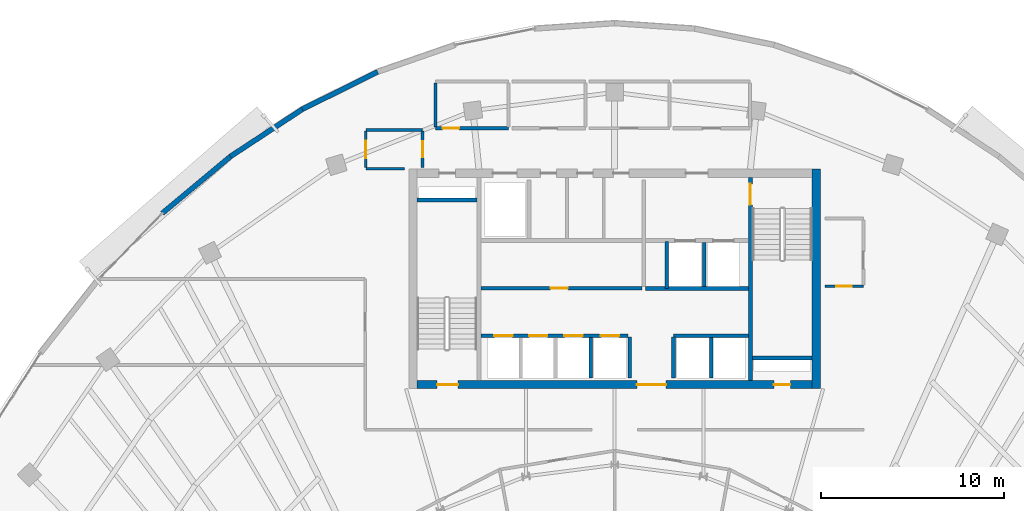
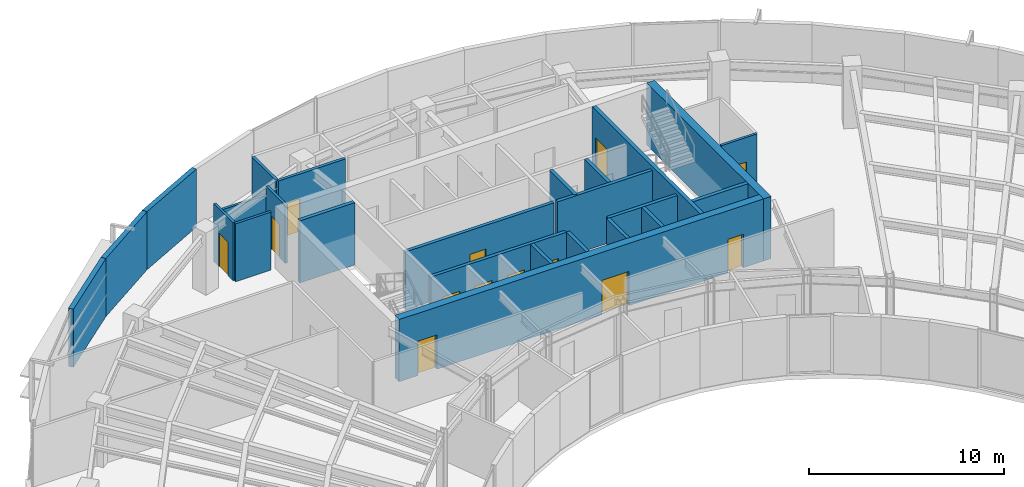
# One storey, part 9 of 14: 25 walls, 13 doors, 13 openings.
"""IFC4 building model written with IfcOpenShell, lengths in metres."""

from ifc_helpers import new_model, si_unit, direction, frame, frame_2d, origin, place, context, subcontext, project, spatial, rectangle, extrude, source, transform, mapped, material, layer, layer_set, type_object, type_shapes, element, fill, save


model = new_model("IFC4")

# Units and contexts
model_context = context("Model", 3, precision=1e-05, world=origin(), true_north=direction((0.0, 1.0)))
body_context = subcontext(model_context, "Body", "Model", "MODEL_VIEW")
ifc_project = project(units=[si_unit("LENGTHUNIT", "METRE"), si_unit("AREAUNIT", "SQUARE_METRE"), si_unit("VOLUMEUNIT", "CUBIC_METRE"), si_unit("PLANEANGLEUNIT", "RADIAN"), si_unit("MASSUNIT", "GRAM", prefix="KILO")], contexts=[model_context])

# Site, building, storey
site_placement = place(None, origin())
site = spatial("IfcSite", under=ifc_project, at=site_placement, CompositionType="ELEMENT")
building_placement = place(site_placement, origin())
building = spatial("IfcBuilding", under=site, at=building_placement, Name="Breltana Convention Tower", CompositionType="ELEMENT")
storey_placement = place(building_placement, frame((0.0, 0.0, 207.89990234375)))
storey = spatial("IfcBuildingStorey", under=building, at=storey_placement, Name="L50", CompositionType="ELEMENT", Elevation=207.89990234375)

# Walls
ifc_material_1 = material(Name="Concrete C50/60", Category="concrete")
ifc_layer_1 = layer(ifc_material_1, 0.39990234375, Name="Concrete C50/60")
ifc_layer_set_1 = layer_set([ifc_layer_1], Name="Concrete C50/60")
wall_type_1 = type_object("IfcWallType", Name="SW-CORE-400", PredefinedType="SHEAR", material=ifc_layer_set_1)
shared_shape_1 = source(origin(), body_context, "Body", "SweptSolid", [
    extrude(rectangle(XDim=3.27001953125, YDim=0.219970703125, at=frame_2d((1.635009765625, 0.0))), origin(), (0.0, 0.0, 1.0), 3.900146484375),
])
for number, where, z_axis, x_axis, name in (
    (1, (37.199951171875, 70.510009765625, 0.0), (0.0, 0.0, 1.0), (1.0, 0.0, 0.0), "L50 ST-1 Stairwell North Bearing Wall"),
    (2, (55.530029296875, 61.889892578125, 0.0), (0.0, 0.0, 1.0), (1.0, 0.0, 0.0), "L50 ST-2 Stairwell South Bearing Wall"),
):
    element("IfcWall", number, at=place(storey_placement, frame(where, z_axis=z_axis, x_axis=x_axis)), inside=storey, type_object=wall_type_1, Name=name, PredefinedType="SHEAR", context=body_context, shape_type="MappedRepresentation", body=[
        mapped(shared_shape_1, transform((0.0, 0.0, 0.0), scale=1.0)),
    ])
ifc_material_2 = material(Name="Concrete C60/75", Category="concrete")
ifc_layer_2 = layer(ifc_material_2, 0.449951171875, Name="Concrete C60/75")
ifc_layer_set_2 = layer_set([ifc_layer_2], Name="Concrete C60/75")
wall_type_2 = type_object("IfcWallType", Name="SW-CORE-450", PredefinedType="SHEAR", material=ifc_layer_set_2)
shared_shape_2 = source(origin(), body_context, "Body", "SweptSolid", [
    extrude(rectangle(XDim=12.0, YDim=0.449951171875, at=frame_2d((6.0, 0.0))), origin(), (0.0, 0.0, 1.0), 3.900146484375),
])
wall_1_placement = place(storey_placement, frame((59.02490234375, 60.199951171875, 0.0), z_axis=(0.0, 0.0, 1.0), x_axis=(0.0, 1.0, 0.0)))
element("IfcWall", 3, at=wall_1_placement, inside=storey, type_object=wall_type_2, Name="L50 East Core Shear Wall", PredefinedType="SHEAR", context=body_context, shape_type="MappedRepresentation", body=[
    mapped(shared_shape_2, transform((0.0, 0.0, 0.0), scale=1.0)),
])

# Wall, openings, doors
shared_shape_3 = source(origin(), body_context, "Body", "SweptSolid", [
    extrude(rectangle(XDim=21.60009765625, YDim=0.449951171875, at=frame_2d((10.800048828125, 0.0))), origin(), (0.0, 0.0, 1.0), 3.900146484375),
])
wall_2_placement = place(storey_placement, frame((37.199951171875, 60.425048828125, 0.0), z_axis=(0.0, 0.0, 1.0), x_axis=(1.0, 0.0, 0.0)))
wall_2 = element("IfcWall", 4, at=wall_2_placement, inside=storey, type_object=wall_type_2, Name="L50 South Core Shear Wall", PredefinedType="SHEAR", context=body_context, shape_type="MappedRepresentation", body=[
    mapped(shared_shape_3, transform((0.0, 0.0, 0.0), scale=1.0)),
])
opening_1_placement = place(wall_2_placement, frame((1.10009765625, 0.0, 0.0)))
opening_1 = element("IfcOpeningElement", 5, at=opening_1_placement, cuts=wall_2, Name="Opening D-11", PredefinedType="OPENING", context=body_context, shape_type="SweptSolid", body=[
    extrude(rectangle(XDim=1.14990234375, YDim=2.14990234375, at=frame_2d((0.574951171875, 1.074951171875))), frame((0.0, 0.23486328125, 0.0), z_axis=(0.0, -1.0, 0.0), x_axis=(1.0, 0.0, 0.0)), (0.0, 0.0, 1.0), 0.469970703125),
])
opening_2_placement = place(wall_2_placement, frame((19.5, 0.0, 0.0)))
opening_2 = element("IfcOpeningElement", 6, at=opening_2_placement, cuts=wall_2, Name="Opening D-18", PredefinedType="OPENING", context=body_context, shape_type="SweptSolid", body=[
    extrude(rectangle(XDim=0.89990234375, YDim=2.10009765625, at=frame_2d((0.449951171875, 1.050048828125))), frame((0.0, 0.23486328125, 0.0), z_axis=(0.0, -1.0, 0.0), x_axis=(1.0, 0.0, 0.0)), (0.0, 0.0, 1.0), 0.469970703125),
])
opening_3_placement = place(wall_2_placement, frame((12.02001953125, 0.0, 0.0)))
opening_3 = element("IfcOpeningElement", 7, at=opening_3_placement, cuts=wall_2, Name="Opening D-02", PredefinedType="OPENING", context=body_context, shape_type="SweptSolid", body=[
    extrude(rectangle(XDim=1.60009765625, YDim=2.14990234375, at=frame_2d((0.800048828125, 1.074951171875))), frame((0.0, 0.23486328125, 0.0), z_axis=(0.0, -1.0, 0.0), x_axis=(1.0, 0.0, 0.0)), (0.0, 0.0, 1.0), 0.469970703125),
])
ifc_material_3 = material(Name="Steel Stair Exit Door", Category="steel")
door_type_1 = type_object("IfcDoorType", Name="DR-FD120-1150", OperationType="NOTDEFINED", PredefinedType="DOOR", material=ifc_material_3)
shared_shape_4 = source(origin(), body_context, "Body", "SweptSolid", [
    extrude(rectangle(XDim=1.14990234375, YDim=2.14990234375, at=frame_2d((0.574951171875, 1.074951171875))), frame((0.0, 0.02490234375, 0.0), z_axis=(0.0, -1.0, 0.0), x_axis=(1.0, 0.0, 0.0)), (0.0, 0.0, 1.0), 0.050048828125),
])
type_shapes(door_type_1, [shared_shape_4])
door_1_placement = place(opening_1_placement, origin())
door_1 = element("IfcDoor", 8, at=door_1_placement, inside=storey, type_object=door_type_1, Name="L50 interior door D-L50-ST1", OperationType="SINGLE_SWING_LEFT", OverallHeight=2.14990234375, OverallWidth=1.14990234375, PredefinedType="DOOR", context=body_context, shape_type="MappedRepresentation", body=[
    mapped(shared_shape_4, transform((0.0, 0.0, 0.0), scale=1.0)),
])
fill(opening_1, door_1)
ifc_material_4 = material(Name="Steel Riser Fire Door", Category="steel")
door_type_2 = type_object("IfcDoorType", Name="DR-FD60-900", OperationType="NOTDEFINED", PredefinedType="DOOR", material=ifc_material_4)
shared_shape_5 = source(origin(), body_context, "Body", "SweptSolid", [
    extrude(rectangle(XDim=0.89990234375, YDim=2.10009765625, at=frame_2d((0.449951171875, 1.050048828125))), frame((0.0, 0.02490234375, 0.0), z_axis=(0.0, -1.0, 0.0), x_axis=(1.0, 0.0, 0.0)), (0.0, 0.0, 1.0), 0.050048828125),
])
type_shapes(door_type_2, [shared_shape_5])
door_2_placement = place(opening_2_placement, origin())
door_2 = element("IfcDoor", 9, at=door_2_placement, inside=storey, type_object=door_type_2, Name="L50 Core Riser Access Door D-L50-RS2", OperationType="SINGLE_SWING_RIGHT", OverallHeight=2.10009765625, OverallWidth=0.89990234375, PredefinedType="DOOR", context=body_context, shape_type="MappedRepresentation", body=[
    mapped(shared_shape_5, transform((0.0, 0.0, 0.0), scale=1.0)),
])
fill(opening_2, door_2)
ifc_material_5 = material(Name="Steel Glazed Smoke-Control Door", Category="steel")
door_type_3 = type_object("IfcDoorType", Name="DR-DBL-FD90-1600", OperationType="DOUBLE_DOOR_SINGLE_SWING", PredefinedType="DOOR", material=ifc_material_5)
shared_shape_6 = source(origin(), body_context, "Body", "SweptSolid", [
    extrude(rectangle(XDim=1.60009765625, YDim=2.14990234375, at=frame_2d((0.800048828125, 1.074951171875))), frame((0.0, 0.02490234375, 0.0), z_axis=(0.0, -1.0, 0.0), x_axis=(1.0, 0.0, 0.0)), (0.0, 0.0, 1.0), 0.050048828125),
])
type_shapes(door_type_3, [shared_shape_6])
door_3_placement = place(opening_3_placement, origin())
door_3 = element("IfcDoor", 10, at=door_3_placement, inside=storey, type_object=door_type_3, Name="L50 interior door D-L50-LLB-S", OperationType="DOUBLE_DOOR_SINGLE_SWING", OverallHeight=2.14990234375, OverallWidth=1.60009765625, PredefinedType="DOOR", context=body_context, shape_type="MappedRepresentation", body=[
    mapped(shared_shape_6, transform((0.0, 0.0, 0.0), scale=1.0)),
])
fill(opening_3, door_3)

# Wall, opening, door
shared_shape_7 = source(origin(), body_context, "Body", "SweptSolid", [
    extrude(rectangle(XDim=11.10009765625, YDim=0.219970703125, at=frame_2d((5.550048828125, 0.0))), origin(), (0.0, 0.0, 1.0), 3.900146484375),
])
wall_3_placement = place(storey_placement, frame((55.419921875, 60.64990234375, 0.0), z_axis=(0.0, 0.0, 1.0), x_axis=(0.0, 1.0, 0.0)))
wall_3 = element("IfcWall", 11, at=wall_3_placement, inside=storey, type_object=wall_type_1, Name="L50 Core East Stair Spine Wall", PredefinedType="SHEAR", context=body_context, shape_type="MappedRepresentation", body=[
    mapped(shared_shape_7, transform((0.0, 0.0, 0.0), scale=1.0)),
])
opening_4_placement = place(wall_3_placement, frame((9.594970703125, 0.0, 0.0)))
opening_4 = element("IfcOpeningElement", 12, at=opening_4_placement, cuts=wall_3, Name="Opening D-11", PredefinedType="OPENING", context=body_context, shape_type="SweptSolid", body=[
    extrude(rectangle(XDim=1.14990234375, YDim=2.14990234375, at=frame_2d((0.574951171875, 1.074951171875))), frame((0.0, 0.1201171875, 0.0), z_axis=(0.0, -1.0, 0.0), x_axis=(1.0, 0.0, 0.0)), (0.0, 0.0, 1.0), 0.239990234375),
])
door_4_placement = place(opening_4_placement, origin())
door_4 = element("IfcDoor", 13, at=door_4_placement, inside=storey, type_object=door_type_1, Name="L50 interior door D-L50-ST2", OperationType="SINGLE_SWING_LEFT", OverallHeight=2.14990234375, OverallWidth=1.14990234375, PredefinedType="DOOR", context=body_context, shape_type="MappedRepresentation", body=[
    mapped(shared_shape_4, transform((0.0, 0.0, 0.0), scale=1.0)),
])
fill(opening_4, door_4)

# Walls
ifc_material_6 = material(Name="Limestone Buff Insulated Wall", Category="masonry")
ifc_layer_3 = layer(ifc_material_6, 0.280029296875, Name="Limestone Buff Insulated Wall")
ifc_layer_set_3 = layer_set([ifc_layer_3], Name="Limestone Buff Insulated Wall")
wall_type_3 = type_object("IfcWallType", Name="WL-EXT-NOSE-280", PredefinedType="SOLIDWALL", material=ifc_layer_set_3)
shared_shape_8 = source(origin(), body_context, "Body", "SweptSolid", [
    extrude(rectangle(XDim=4.851806640625, YDim=0.280029296875, at=frame_2d((2.42578125, 0.0))), origin(), (0.0, 0.0, 1.0), 3.64013671875),
])
wall_4_placement = place(storey_placement, frame((23.26806640625, 69.787841796875, 0.0), z_axis=(0.0, 0.0, 1.0), x_axis=(0.767936605821, 0.640525853843, 0.0)))
element("IfcWall", 14, at=wall_4_placement, inside=storey, type_object=wall_type_3, Name="L50 curved limestone nose wall E21", PredefinedType="SOLIDWALL", context=body_context, shape_type="MappedRepresentation", body=[
    mapped(shared_shape_8, transform((0.0, 0.0, 0.0), scale=1.0)),
])
shared_shape_9 = source(origin(), body_context, "Body", "SweptSolid", [
    extrude(rectangle(XDim=4.712646484375, YDim=0.280029296875, at=frame_2d((2.3564453125, 0.0))), origin(), (0.0, 0.0, 1.0), 3.64013671875),
])
wall_5_placement = place(storey_placement, frame((26.993896484375, 72.8955078125, 0.0), z_axis=(0.0, 0.0, 1.0), x_axis=(0.835974386457, 0.548768462275, 0.0)))
element("IfcWall", 15, at=wall_5_placement, inside=storey, type_object=wall_type_3, Name="L50 curved limestone nose wall E22", PredefinedType="SOLIDWALL", context=body_context, shape_type="MappedRepresentation", body=[
    mapped(shared_shape_9, transform((0.0, 0.0, 0.0), scale=1.0)),
])
shared_shape_10 = source(origin(), body_context, "Body", "SweptSolid", [
    extrude(rectangle(XDim=4.59033203125, YDim=0.280029296875, at=frame_2d((2.295166015625, 0.0))), origin(), (0.0, 0.0, 1.0), 3.64013671875),
])
wall_6_placement = place(storey_placement, frame((30.93359375, 75.481689453125, 0.0), z_axis=(0.0, 0.0, 1.0), x_axis=(0.895974834987, 0.444104824418, 0.0)))
element("IfcWall", 16, at=wall_6_placement, inside=storey, type_object=wall_type_3, Name="L50 curved limestone nose wall E23", PredefinedType="SOLIDWALL", context=body_context, shape_type="MappedRepresentation", body=[
    mapped(shared_shape_10, transform((0.0, 0.0, 0.0), scale=1.0)),
])
ifc_material_7 = material(Name="Autoclaved Aerated Concrete Block", Category="concrete")
ifc_layer_4 = layer(ifc_material_7, 0.199951171875, Name="Autoclaved Aerated Concrete Block")
ifc_layer_set_4 = layer_set([ifc_layer_4], Name="Autoclaved Aerated Concrete Block")
wall_type_4 = type_object("IfcWallType", Name="WL-SHAFT-200", PredefinedType="SOLIDWALL", material=ifc_layer_set_4)
shared_shape_11 = source(origin(), body_context, "Body", "SweptSolid", [
    extrude(rectangle(XDim=2.239990234375, YDim=0.199951171875, at=frame_2d((1.1201171875, 0.0))), origin(), (0.0, 0.0, 1.0), 3.64013671875),
])
for number, where, z_axis, x_axis, name in (
    (17, (48.820068359375, 60.780029296875, 0.0), (0.0, 0.0, 1.0), (0.0, 1.0, 0.0), "L50 interior partition W-L50-PORT-W"),
    (18, (51.219970703125, 60.780029296875, 0.0), (0.0, 0.0, 1.0), (0.0, 1.0, 0.0), "L50 interior partition W-L50-PORT-E"),
):
    element("IfcWall", number, at=place(storey_placement, frame(where, z_axis=z_axis, x_axis=x_axis)), inside=storey, type_object=wall_type_4, Name=name, PredefinedType="SOLIDWALL", context=body_context, shape_type="MappedRepresentation", body=[
        mapped(shared_shape_11, transform((0.0, 0.0, 0.0), scale=1.0)),
    ])
shared_shape_12 = source(origin(), body_context, "Body", "SweptSolid", [
    extrude(rectangle(XDim=5.6201171875, YDim=0.199951171875, at=frame_2d((2.81005859375, 0.0))), origin(), (0.0, 0.0, 1.0), 3.64013671875),
])
wall_7_placement = place(storey_placement, frame((49.699951171875, 65.679931640625, 0.0), z_axis=(0.0, 0.0, 1.0), x_axis=(1.0, 0.0, 0.0)))
element("IfcWall", 19, at=wall_7_placement, inside=storey, type_object=wall_type_4, Name="L50 interior partition W-L50-FL-S", PredefinedType="SOLIDWALL", context=body_context, shape_type="MappedRepresentation", body=[
    mapped(shared_shape_12, transform((0.0, 0.0, 0.0), scale=1.0)),
])
shared_shape_13 = source(origin(), body_context, "Body", "SweptSolid", [
    extrude(rectangle(XDim=2.580078125, YDim=0.199951171875, at=frame_2d((1.2900390625, 0.0))), origin(), (0.0, 0.0, 1.0), 3.64013671875),
])
wall_8_placement = place(storey_placement, frame((50.85009765625, 65.679931640625, 0.0), z_axis=(0.0, 0.0, 1.0), x_axis=(0.0, 1.0, 0.0)))
element("IfcWall", 20, at=wall_8_placement, inside=storey, type_object=wall_type_4, Name="L50 interior partition W-L50-FL-W", PredefinedType="SOLIDWALL", context=body_context, shape_type="MappedRepresentation", body=[
    mapped(shared_shape_13, transform((0.0, 0.0, 0.0), scale=1.0)),
])
shared_shape_14 = source(origin(), body_context, "Body", "SweptSolid", [
    extrude(rectangle(XDim=2.39990234375, YDim=0.199951171875, at=frame_2d((1.199951171875, 0.0))), origin(), (0.0, 0.0, 1.0), 3.64013671875),
])
wall_9_placement = place(storey_placement, frame((52.89990234375, 65.800048828125, 0.0), z_axis=(0.0, 0.0, 1.0), x_axis=(0.0, 1.0, 0.0)))
element("IfcWall", 21, at=wall_9_placement, inside=storey, type_object=wall_type_4, Name="L50 interior partition W-L50-FL-DIV", PredefinedType="SOLIDWALL", context=body_context, shape_type="MappedRepresentation", body=[
    mapped(shared_shape_14, transform((0.0, 0.0, 0.0), scale=1.0)),
])

# Wall, opening, door
shared_shape_15 = source(origin(), body_context, "Body", "SweptSolid", [
    extrude(rectangle(XDim=8.800048828125, YDim=0.199951171875, at=frame_2d((4.39990234375, 0.0))), origin(), (0.0, 0.0, 1.0), 3.64013671875),
])
wall_10_placement = place(storey_placement, frame((40.699951171875, 65.699951171875, 0.0), z_axis=(0.0, 0.0, 1.0), x_axis=(1.0, 0.0, 0.0)))
wall_10 = element("IfcWall", 22, at=wall_10_placement, inside=storey, type_object=wall_type_4, Name="L50 interior partition W-L50-SH-M-FRONT", PredefinedType="SOLIDWALL", context=body_context, shape_type="MappedRepresentation", body=[
    mapped(shared_shape_15, transform((0.0, 0.0, 0.0), scale=1.0)),
])
opening_5_placement = place(wall_10_placement, frame((3.800048828125, 0.0, 0.0)))
opening_5 = element("IfcOpeningElement", 23, at=opening_5_placement, cuts=wall_10, Name="Opening D-14", PredefinedType="OPENING", context=body_context, shape_type="SweptSolid", body=[
    extrude(rectangle(XDim=0.949951171875, YDim=2.14990234375, at=frame_2d((0.47509765625, 1.074951171875))), frame((0.0, 0.10986328125, 0.0), z_axis=(0.0, -1.0, 0.0), x_axis=(1.0, 0.0, 0.0)), (0.0, 0.0, 1.0), 0.219970703125),
])
ifc_material_8 = material(Name="Timber Solid-Core Fire Door", Category="wood")
door_type_4 = type_object("IfcDoorType", Name="DR-FD60-950", OperationType="NOTDEFINED", PredefinedType="DOOR", material=ifc_material_8)
shared_shape_16 = source(origin(), body_context, "Body", "SweptSolid", [
    extrude(rectangle(XDim=0.949951171875, YDim=2.14990234375, at=frame_2d((0.47509765625, 1.074951171875))), frame((0.0, 0.02490234375, 0.0), z_axis=(0.0, -1.0, 0.0), x_axis=(1.0, 0.0, 0.0)), (0.0, 0.0, 1.0), 0.050048828125),
])
type_shapes(door_type_4, [shared_shape_16])
door_5_placement = place(opening_5_placement, origin())
door_5 = element("IfcDoor", 24, at=door_5_placement, inside=storey, type_object=door_type_4, Name="L50 interior door D-L50-LV7-B2A", OperationType="SINGLE_SWING_LEFT", OverallHeight=2.14990234375, OverallWidth=0.949951171875, PredefinedType="DOOR", context=body_context, shape_type="MappedRepresentation", body=[
    mapped(shared_shape_16, transform((0.0, 0.0, 0.0), scale=1.0)),
])
fill(opening_5, door_5)

# Wall, openings, doors
shared_shape_17 = source(origin(), body_context, "Body", "SweptSolid", [
    extrude(rectangle(XDim=8.02001953125, YDim=0.199951171875, at=frame_2d((4.010009765625, 0.0))), origin(), (0.0, 0.0, 1.0), 3.64013671875),
])
wall_11_placement = place(storey_placement, frame((40.699951171875, 63.10009765625, 0.0), z_axis=(0.0, 0.0, 1.0), x_axis=(1.0, 0.0, 0.0)))
wall_11 = element("IfcWall", 25, at=wall_11_placement, inside=storey, type_object=wall_type_4, Name="L50 interior partition W-L50-SH-S-FRONT", PredefinedType="SOLIDWALL", context=body_context, shape_type="MappedRepresentation", body=[
    mapped(shared_shape_17, transform((0.0, 0.0, 0.0), scale=1.0)),
])
opening_6_placement = place(wall_11_placement, frame((0.719970703125, 0.0, 0.0)))
opening_6 = element("IfcOpeningElement", 26, at=opening_6_placement, cuts=wall_11, Name="Opening LD-04", PredefinedType="OPENING", context=body_context, shape_type="SweptSolid", body=[
    extrude(rectangle(XDim=1.0, YDim=2.14990234375, at=frame_2d((0.5, 1.074951171875))), frame((0.0, 0.10986328125, 0.0), z_axis=(0.0, -1.0, 0.0), x_axis=(1.0, 0.0, 0.0)), (0.0, 0.0, 1.0), 0.219970703125),
])
opening_7_placement = place(wall_11_placement, frame((2.6201171875, 0.0, 0.0)))
opening_7 = element("IfcOpeningElement", 27, at=opening_7_placement, cuts=wall_11, Name="Opening LD-04", PredefinedType="OPENING", context=body_context, shape_type="SweptSolid", body=[
    extrude(rectangle(XDim=1.0, YDim=2.14990234375, at=frame_2d((0.5, 1.074951171875))), frame((0.0, 0.10986328125, 0.0), z_axis=(0.0, -1.0, 0.0), x_axis=(1.0, 0.0, 0.0)), (0.0, 0.0, 1.0), 0.219970703125),
])
opening_8_placement = place(wall_11_placement, frame((4.550048828125, 0.0, 0.0)))
opening_8 = element("IfcOpeningElement", 28, at=opening_8_placement, cuts=wall_11, Name="Opening LD-04", PredefinedType="OPENING", context=body_context, shape_type="SweptSolid", body=[
    extrude(rectangle(XDim=1.0, YDim=2.14990234375, at=frame_2d((0.5, 1.074951171875))), frame((0.0, 0.10986328125, 0.0), z_axis=(0.0, -1.0, 0.0), x_axis=(1.0, 0.0, 0.0)), (0.0, 0.0, 1.0), 0.219970703125),
])
opening_9_placement = place(wall_11_placement, frame((6.550048828125, 0.0, 0.0)))
opening_9 = element("IfcOpeningElement", 29, at=opening_9_placement, cuts=wall_11, Name="Opening LD-04", PredefinedType="OPENING", context=body_context, shape_type="SweptSolid", body=[
    extrude(rectangle(XDim=1.0, YDim=2.14990234375, at=frame_2d((0.5, 1.074951171875))), frame((0.0, 0.10986328125, 0.0), z_axis=(0.0, -1.0, 0.0), x_axis=(1.0, 0.0, 0.0)), (0.0, 0.0, 1.0), 0.219970703125),
])
ifc_material_9 = material(Name="Stainless Steel Brushed", Category="steel")
door_type_5 = type_object("IfcDoorType", Name="DR-LD-PAX-1000", OperationType="DOUBLE_DOOR_SLIDING", PredefinedType="DOOR", material=ifc_material_9)
shared_shape_18 = source(origin(), body_context, "Body", "SweptSolid", [
    extrude(rectangle(XDim=1.0, YDim=2.14990234375, at=frame_2d((0.5, 1.074951171875))), frame((0.0, 0.02490234375, 0.0), z_axis=(0.0, -1.0, 0.0), x_axis=(1.0, 0.0, 0.0)), (0.0, 0.0, 1.0), 0.050048828125),
])
type_shapes(door_type_5, [shared_shape_18])
door_6_placement = place(opening_6_placement, origin())
door_6 = element("IfcDoor", 30, at=door_6_placement, inside=storey, type_object=door_type_5, Name="L50 Lift Landing Door D-L50-LD-S1", OperationType="DOUBLE_DOOR_SLIDING", OverallHeight=2.14990234375, OverallWidth=1.0, PredefinedType="DOOR", context=body_context, shape_type="MappedRepresentation", body=[
    mapped(shared_shape_18, transform((0.0, 0.0, 0.0), scale=1.0)),
])
fill(opening_6, door_6)
door_7_placement = place(opening_7_placement, origin())
door_7 = element("IfcDoor", 31, at=door_7_placement, inside=storey, type_object=door_type_5, Name="L50 Lift Landing Door D-L50-LD-S2", OperationType="DOUBLE_DOOR_SLIDING", OverallHeight=2.14990234375, OverallWidth=1.0, PredefinedType="DOOR", context=body_context, shape_type="MappedRepresentation", body=[
    mapped(shared_shape_18, transform((0.0, 0.0, 0.0), scale=1.0)),
])
fill(opening_7, door_7)
door_8_placement = place(opening_8_placement, origin())
door_8 = element("IfcDoor", 32, at=door_8_placement, inside=storey, type_object=door_type_5, Name="L50 Lift Landing Door D-L50-LD-S3", OperationType="DOUBLE_DOOR_SLIDING", OverallHeight=2.14990234375, OverallWidth=1.0, PredefinedType="DOOR", context=body_context, shape_type="MappedRepresentation", body=[
    mapped(shared_shape_18, transform((0.0, 0.0, 0.0), scale=1.0)),
])
fill(opening_8, door_8)
door_9_placement = place(opening_9_placement, origin())
door_9 = element("IfcDoor", 33, at=door_9_placement, inside=storey, type_object=door_type_5, Name="L50 Lift Landing Door D-L50-LD-S4", OperationType="DOUBLE_DOOR_SLIDING", OverallHeight=2.14990234375, OverallWidth=1.0, PredefinedType="DOOR", context=body_context, shape_type="MappedRepresentation", body=[
    mapped(shared_shape_18, transform((0.0, 0.0, 0.0), scale=1.0)),
])
fill(opening_9, door_9)

# Walls
shared_shape_19 = source(origin(), body_context, "Body", "SweptSolid", [
    extrude(rectangle(XDim=4.10009765625, YDim=0.199951171875, at=frame_2d((2.050048828125, 0.0))), origin(), (0.0, 0.0, 1.0), 3.64013671875),
])
wall_12_placement = place(storey_placement, frame((51.219970703125, 63.10009765625, 0.0), z_axis=(0.0, 0.0, 1.0), x_axis=(1.0, 0.0, 0.0)))
element("IfcWall", 34, at=wall_12_placement, inside=storey, type_object=wall_type_4, Name="L50 interior partition W-L50-SH-X-FRONT", PredefinedType="SOLIDWALL", context=body_context, shape_type="MappedRepresentation", body=[
    mapped(shared_shape_19, transform((0.0, 0.0, 0.0), scale=1.0)),
])
shared_shape_20 = source(origin(), body_context, "Body", "SweptSolid", [
    extrude(rectangle(XDim=2.199951171875, YDim=0.199951171875, at=frame_2d((1.10009765625, 0.0))), origin(), (0.0, 0.0, 1.0), 3.64013671875),
])
for number, where, z_axis, x_axis, name in (
    (35, (46.699951171875, 60.800048828125, 0.0), (0.0, 0.0, 1.0), (0.0, 1.0, 0.0), "L50 interior partition W-L50-SH-S-DIV3"),
    (36, (53.280029296875, 60.800048828125, 0.0), (0.0, 0.0, 1.0), (0.0, 1.0, 0.0), "L50 interior partition W-L50-SH-X-DIV"),
):
    element("IfcWall", number, at=place(storey_placement, frame(where, z_axis=z_axis, x_axis=x_axis)), inside=storey, type_object=wall_type_4, Name=name, PredefinedType="SOLIDWALL", context=body_context, shape_type="MappedRepresentation", body=[
        mapped(shared_shape_20, transform((0.0, 0.0, 0.0), scale=1.0)),
    ])
ifc_material_10 = material(Name="Gypsum Acoustic Drywall Partition")
ifc_layer_5 = layer(ifc_material_10, 0.14990234375, Name="Gypsum Acoustic Drywall Partition")
ifc_layer_set_5 = layer_set([ifc_layer_5], Name="Gypsum Acoustic Drywall Partition")
wall_type_5 = type_object("IfcWallType", Name="WL-PART-150", PredefinedType="PARTITIONING", material=ifc_layer_set_5)
shared_shape_21 = source(origin(), body_context, "Body", "SweptSolid", [
    extrude(rectangle(XDim=2.10009765625, YDim=0.14990234375, at=frame_2d((1.050048828125, 0.0))), origin(), (0.0, 0.0, 1.0), 3.64013671875),
])
wall_13_placement = place(storey_placement, frame((34.39990234375, 72.219970703125, 0.0), z_axis=(0.0, 0.0, 1.0), x_axis=(1.0, 0.0, 0.0)))
element("IfcWall", 37, at=wall_13_placement, inside=storey, type_object=wall_type_5, Name="L50 interior partition W-L50-CRNE-S", PredefinedType="PARTITIONING", context=body_context, shape_type="MappedRepresentation", body=[
    mapped(shared_shape_21, transform((0.0, 0.0, 0.0), scale=1.0)),
])

# Wall, opening, door
wall_14_placement = place(storey_placement, frame((59.5, 65.800048828125, 0.0), z_axis=(0.0, 0.0, 1.0), x_axis=(1.0, 0.0, 0.0)))
wall_14 = element("IfcWall", 38, at=wall_14_placement, inside=storey, type_object=wall_type_5, Name="L50 interior partition W-L50-CRSE-S", PredefinedType="PARTITIONING", context=body_context, shape_type="MappedRepresentation", body=[
    mapped(shared_shape_21, transform((0.0, 0.0, 0.0), scale=1.0)),
])
opening_10_placement = place(wall_14_placement, frame((0.625, 0.0, 0.0)))
opening_10 = element("IfcOpeningElement", 39, at=opening_10_placement, cuts=wall_14, Name="Opening D-20", PredefinedType="OPENING", context=body_context, shape_type="SweptSolid", body=[
    extrude(rectangle(XDim=0.85009765625, YDim=2.10009765625, at=frame_2d((0.425048828125, 1.050048828125))), frame((0.0, 0.0849609375, 0.0), z_axis=(0.0, -1.0, 0.0), x_axis=(1.0, 0.0, 0.0)), (0.0, 0.0, 1.0), 0.169921875),
])
ifc_material_11 = material(Name="Steel Closet Fire Door", Category="steel")
door_type_6 = type_object("IfcDoorType", Name="DR-FD60-850", OperationType="NOTDEFINED", PredefinedType="DOOR", material=ifc_material_11)
shared_shape_22 = source(origin(), body_context, "Body", "SweptSolid", [
    extrude(rectangle(XDim=0.85009765625, YDim=2.10009765625, at=frame_2d((0.425048828125, 1.050048828125))), frame((0.0, 0.02490234375, 0.0), z_axis=(0.0, -1.0, 0.0), x_axis=(1.0, 0.0, 0.0)), (0.0, 0.0, 1.0), 0.050048828125),
])
type_shapes(door_type_6, [shared_shape_22])
door_10_placement = place(opening_10_placement, origin())
door_10 = element("IfcDoor", 40, at=door_10_placement, inside=storey, type_object=door_type_6, Name="L50 interior door D-L50-CRSE", OperationType="SINGLE_SWING_LEFT", OverallHeight=2.10009765625, OverallWidth=0.85009765625, PredefinedType="DOOR", context=body_context, shape_type="MappedRepresentation", body=[
    mapped(shared_shape_22, transform((0.0, 0.0, 0.0), scale=1.0)),
])
fill(opening_10, door_10)

# Wall
shared_shape_23 = source(origin(), body_context, "Body", "SweptSolid", [
    extrude(rectangle(XDim=3.10009765625, YDim=0.14990234375, at=frame_2d((1.550048828125, 0.0))), origin(), (0.0, 0.0, 1.0), 3.071044921875),
])
wall_15_placement = place(storey_placement, frame((34.39990234375, 74.35009765625, 0.0), z_axis=(0.0, 0.0, 1.0), x_axis=(1.0, 0.0, 0.0)))
element("IfcWall", 41, at=wall_15_placement, inside=storey, type_object=wall_type_5, Name="L50 interior partition W-L50-CRNE-N", PredefinedType="PARTITIONING", context=body_context, shape_type="MappedRepresentation", body=[
    mapped(shared_shape_23, transform((0.0, 0.0, 0.0), scale=1.0)),
])

# Wall, opening, door
shared_shape_24 = source(origin(), body_context, "Body", "SweptSolid", [
    extrude(rectangle(XDim=1.994873046875, YDim=0.14990234375, at=frame_2d((0.99755859375, 0.0))), origin(), (0.0, 0.0, 1.0), 3.64013671875),
])
wall_16_placement = place(storey_placement, frame((34.39990234375, 72.28759765625, 0.0), z_axis=(0.0, 0.0, 1.0), x_axis=(0.0, 1.0, 0.0)))
wall_16 = element("IfcWall", 42, at=wall_16_placement, inside=storey, type_object=wall_type_5, Name="L50 interior partition W-L50-CRNE-W", PredefinedType="PARTITIONING", context=body_context, shape_type="MappedRepresentation", body=[
    mapped(shared_shape_24, transform((0.0, 0.0, 0.0), scale=1.0)),
])
opening_11_placement = place(wall_16_placement, frame((0.5224609375, 0.0, 0.0)))
opening_11 = element("IfcOpeningElement", 43, at=opening_11_placement, cuts=wall_16, Name="Opening D-17", PredefinedType="OPENING", context=body_context, shape_type="SweptSolid", body=[
    extrude(rectangle(XDim=0.949951171875, YDim=2.10009765625, at=frame_2d((0.47509765625, 1.050048828125))), frame((0.0, 0.0849609375, 0.0), z_axis=(0.0, -1.0, 0.0), x_axis=(1.0, 0.0, 0.0)), (0.0, 0.0, 1.0), 0.169921875),
])
ifc_material_12 = material(Name="Timber Oak Veneer Door", Category="wood")
door_type_7 = type_object("IfcDoorType", Name="DR-INT-950", OperationType="NOTDEFINED", PredefinedType="DOOR", material=ifc_material_12)
shared_shape_25 = source(origin(), body_context, "Body", "SweptSolid", [
    extrude(rectangle(XDim=0.949951171875, YDim=2.10009765625, at=frame_2d((0.47509765625, 1.050048828125))), frame((0.0, 0.02490234375, 0.0), z_axis=(0.0, -1.0, 0.0), x_axis=(1.0, 0.0, 0.0)), (0.0, 0.0, 1.0), 0.050048828125),
])
type_shapes(door_type_7, [shared_shape_25])
door_11_placement = place(opening_11_placement, origin())
door_11 = element("IfcDoor", 44, at=door_11_placement, inside=storey, type_object=door_type_7, Name="L50 interior door D-L50-EXW3", OperationType="SINGLE_SWING_RIGHT", OverallHeight=2.10009765625, OverallWidth=0.949951171875, PredefinedType="DOOR", context=body_context, shape_type="MappedRepresentation", body=[
    mapped(shared_shape_25, transform((0.0, 0.0, 0.0), scale=1.0)),
])
fill(opening_11, door_11)

shared_shape_26 = source(origin(), body_context, "Body", "SweptSolid", [
    extrude(rectangle(XDim=1.982421875, YDim=0.14990234375, at=frame_2d((0.9912109375, 0.0))), origin(), (0.0, 0.0, 1.0), 3.64013671875),
])
wall_17_placement = place(storey_placement, frame((37.5, 72.300048828125, 0.0), z_axis=(0.0, 0.0, 1.0), x_axis=(0.0, 1.0, 0.0)))
wall_17 = element("IfcWall", 45, at=wall_17_placement, inside=storey, type_object=wall_type_5, Name="L50 interior partition W-L50-CRNE-E", PredefinedType="PARTITIONING", context=body_context, shape_type="MappedRepresentation", body=[
    mapped(shared_shape_26, transform((0.0, 0.0, 0.0), scale=1.0)),
])
opening_12_placement = place(wall_17_placement, frame((0.56640625, 0.0, 0.0)))
opening_12 = element("IfcOpeningElement", 46, at=opening_12_placement, cuts=wall_17, Name="Opening D-20", PredefinedType="OPENING", context=body_context, shape_type="SweptSolid", body=[
    extrude(rectangle(XDim=0.85009765625, YDim=2.10009765625, at=frame_2d((0.425048828125, 1.050048828125))), frame((0.0, 0.0849609375, 0.0), z_axis=(0.0, -1.0, 0.0), x_axis=(1.0, 0.0, 0.0)), (0.0, 0.0, 1.0), 0.169921875),
])
door_12_placement = place(opening_12_placement, origin())
door_12 = element("IfcDoor", 47, at=door_12_placement, inside=storey, type_object=door_type_6, Name="L50 interior door D-L50-CRNE", OperationType="SINGLE_SWING_RIGHT", OverallHeight=2.10009765625, OverallWidth=0.85009765625, PredefinedType="DOOR", context=body_context, shape_type="MappedRepresentation", body=[
    mapped(shared_shape_22, transform((0.0, 0.0, 0.0), scale=1.0)),
])
fill(opening_12, door_12)

ifc_material_13 = material(Name="Cement Board Wet-Area Partition")
ifc_layer_6 = layer(ifc_material_13, 0.175048828125, Name="Cement Board Wet-Area Partition")
ifc_layer_set_6 = layer_set([ifc_layer_6], Name="Cement Board Wet-Area Partition")
wall_type_6 = type_object("IfcWallType", Name="WL-WET-175", PredefinedType="PARTITIONING", material=ifc_layer_set_6)
shared_shape_27 = source(origin(), body_context, "Body", "SweptSolid", [
    extrude(rectangle(XDim=4.0, YDim=0.175048828125, at=frame_2d((2.0, 0.0))), origin(), (0.0, 0.0, 1.0), 3.64013671875),
])
wall_18_placement = place(storey_placement, frame((38.199951171875, 74.43994140625, 0.0), z_axis=(0.0, 0.0, 1.0), x_axis=(1.0, 0.0, 0.0)))
wall_18 = element("IfcWall", 48, at=wall_18_placement, inside=storey, type_object=wall_type_6, Name="L50 interior partition W-L50-WCM-S", PredefinedType="PARTITIONING", context=body_context, shape_type="MappedRepresentation", body=[
    mapped(shared_shape_27, transform((0.0, 0.0, 0.0), scale=1.0)),
])
opening_13_placement = place(wall_18_placement, frame((0.39990234375, 0.0, 0.0)))
opening_13 = element("IfcOpeningElement", 49, at=opening_13_placement, cuts=wall_18, Name="Opening D-19", PredefinedType="OPENING", context=body_context, shape_type="SweptSolid", body=[
    extrude(rectangle(XDim=0.89990234375, YDim=2.080078125, at=frame_2d((0.449951171875, 1.0400390625))), frame((0.0, 0.09765625, 0.0), z_axis=(0.0, -1.0, 0.0), x_axis=(1.0, 0.0, 0.0)), (0.0, 0.0, 1.0), 0.195068359375),
])
ifc_material_14 = material(Name="Timber Moisture-Resistant Door", Category="wood")
door_type_8 = type_object("IfcDoorType", Name="DR-WC-900", OperationType="NOTDEFINED", PredefinedType="DOOR", material=ifc_material_14)
shared_shape_28 = source(origin(), body_context, "Body", "SweptSolid", [
    extrude(rectangle(XDim=0.89990234375, YDim=2.080078125, at=frame_2d((0.449951171875, 1.0400390625))), frame((0.0, 0.02490234375, 0.0), z_axis=(0.0, -1.0, 0.0), x_axis=(1.0, 0.0, 0.0)), (0.0, 0.0, 1.0), 0.050048828125),
])
type_shapes(door_type_8, [shared_shape_28])
door_13_placement = place(opening_13_placement, origin())
door_13 = element("IfcDoor", 50, at=door_13_placement, inside=storey, type_object=door_type_8, Name="L50 interior door D-L50-WCM", OperationType="SINGLE_SWING_RIGHT", OverallHeight=2.080078125, OverallWidth=0.89990234375, PredefinedType="DOOR", context=body_context, shape_type="MappedRepresentation", body=[
    mapped(shared_shape_28, transform((0.0, 0.0, 0.0), scale=1.0)),
])
fill(opening_13, door_13)

# Wall
shared_shape_29 = source(origin(), body_context, "Body", "SweptSolid", [
    extrude(rectangle(XDim=2.402587890625, YDim=0.175048828125, at=frame_2d((1.201171875, 0.0))), origin(), (0.0, 0.0, 1.0), 3.64013671875),
])
wall_19_placement = place(storey_placement, frame((38.199951171875, 74.518798828125, 0.0), z_axis=(0.0, 0.0, 1.0), x_axis=(0.0, 1.0, 0.0)))
element("IfcWall", 51, at=wall_19_placement, inside=storey, type_object=wall_type_6, Name="L50 interior partition W-L50-WCM-W", PredefinedType="PARTITIONING", context=body_context, shape_type="MappedRepresentation", body=[
    mapped(shared_shape_29, transform((0.0, 0.0, 0.0), scale=1.0)),
])

save(model, "model.ifc")
